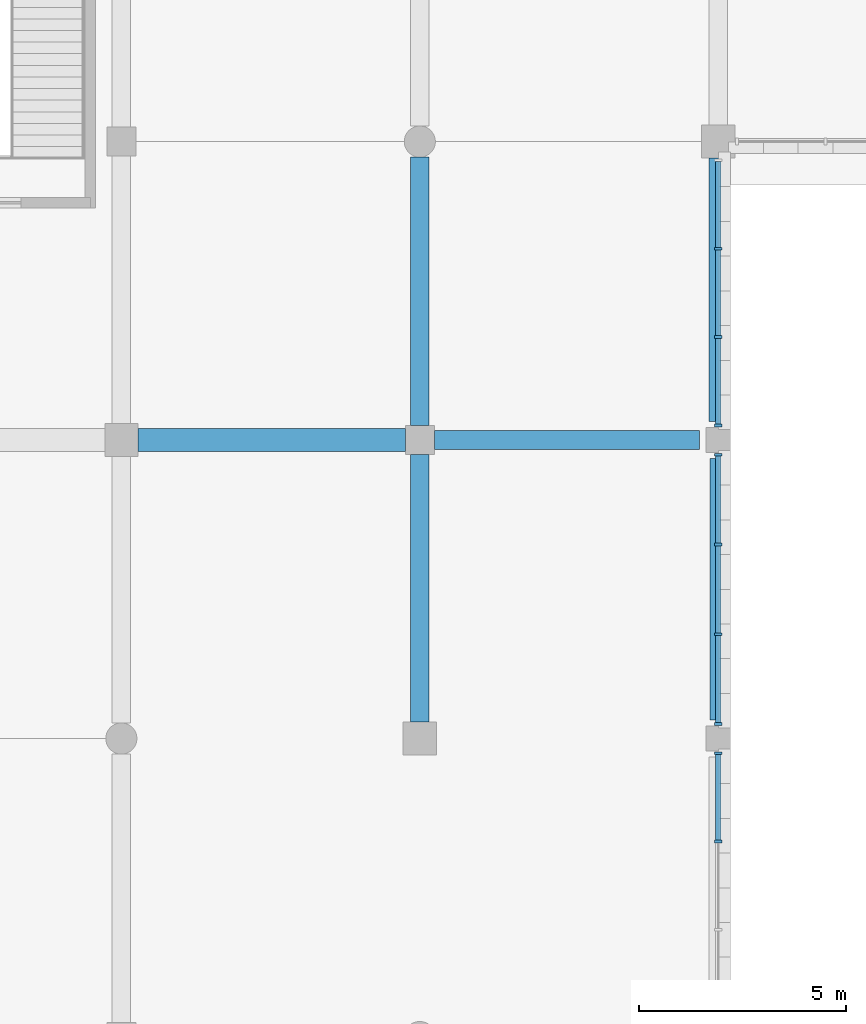
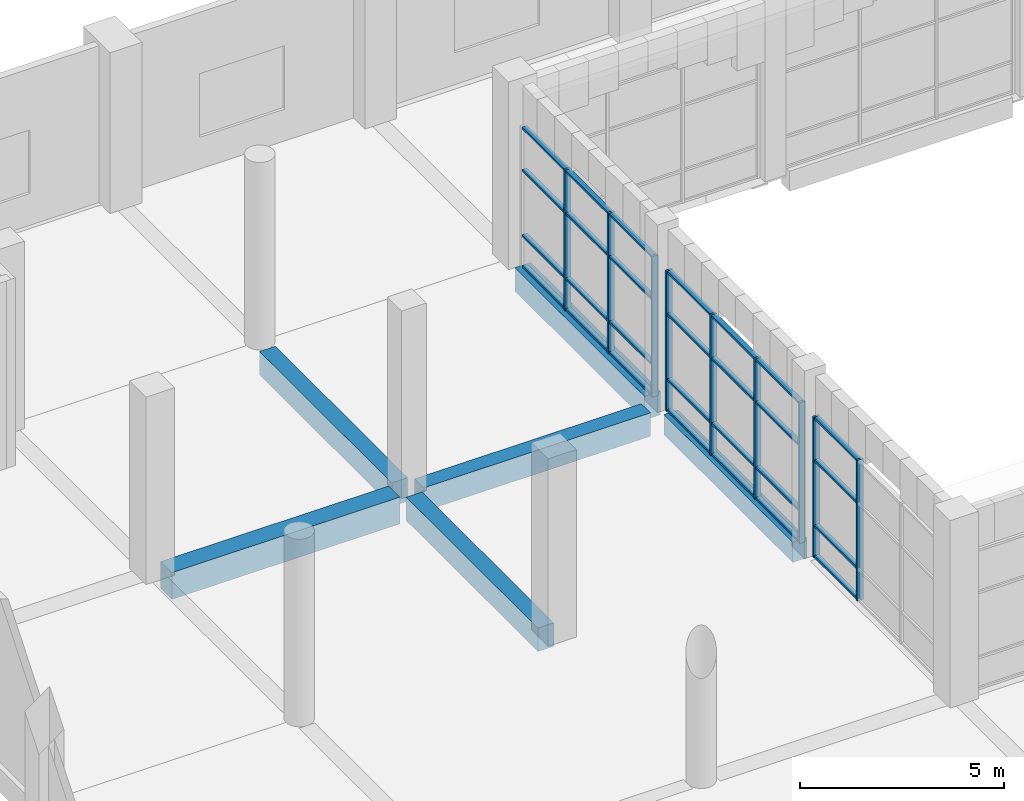
# One storey, part 14 of 80: 37 members, 6 beams, 3 elements without a shape of their own.
"""IFC4 building model written with IfcOpenShell, lengths in metres."""

from ifc_helpers import new_model, si_unit, direction, frame, origin, origin_2d, place, context, subcontext, project, spatial, rectangle, extrude, material, material_profile, profile_set, type_object, element, aggregate, save


model = new_model("IFC4")

# Units and contexts
model_context = context("Model", 3, precision=1e-05, world=origin(), true_north=direction((0.0, 1.0)))
body_context = subcontext(model_context, "Body", "Model", "MODEL_VIEW")
ifc_project = project(units=[si_unit("LENGTHUNIT", "METRE"), si_unit("AREAUNIT", "SQUARE_METRE"), si_unit("VOLUMEUNIT", "CUBIC_METRE"), si_unit("PLANEANGLEUNIT", "RADIAN"), si_unit("MASSUNIT", "GRAM", prefix="KILO")], contexts=[model_context])

# Site, building, storey
site_placement = place(None, origin())
site = spatial("IfcSite", under=ifc_project, at=site_placement, CompositionType="ELEMENT")
building_placement = place(site_placement, origin())
building = spatial("IfcBuilding", under=site, at=building_placement, Name="Sardonyx Promenade Sports Hall", CompositionType="ELEMENT")
storey_placement = place(building_placement, frame((0.0, 0.0, 5.60009765625)))
storey = spatial("IfcBuildingStorey", under=building, at=storey_placement, Name="L01", CompositionType="ELEMENT", Elevation=5.60009765625)

# Beams
ifc_material_1 = material(Name="Concrete C40/50", Category="concrete")
ifc_material_profile_1 = material_profile(ifc_material_1, rectangle(XDim=0.550048828125, YDim=0.800048828125, at=origin_2d()))
ifc_profile_set_1 = profile_set([ifc_material_profile_1], Name="Concrete C40/50")
beam_type_1 = type_object("IfcBeamType", Name="Bm_Girder_RC800", PredefinedType="BEAM", material=ifc_profile_set_1)
beam_1_placement = place(storey_placement, frame((29.199951171875, 57.60009765625, -0.400146484375), z_axis=(1.0, 0.0, 0.0), x_axis=(0.0, 1.0, 0.0)))
element("IfcBeam", 1, at=beam_1_placement, inside=storey, type_object=beam_type_1, Name="Beam BG04 L01 #252", PredefinedType="BEAM", context=body_context, shape_type="SweptSolid", body=[
    extrude(rectangle(XDim=0.550048828125, YDim=0.800048828125, at=origin_2d()), origin(), (0.0, 0.0, 1.0), 6.449951171875),
])
ifc_material_2 = material(Name="Concrete C40/50", Category="concrete")
ifc_material_profile_2 = material_profile(ifc_material_2, rectangle(XDim=0.449951171875, YDim=0.699951171875, at=origin_2d()))
ifc_profile_set_2 = profile_set([ifc_material_profile_2], Name="Concrete C40/50")
beam_type_2 = type_object("IfcBeamType", Name="Bm_Primary_RC700", PredefinedType="BEAM", material=ifc_profile_set_2)
beam_2_placement = place(storey_placement, frame((36.35009765625, 57.60009765625, -0.35009765625), z_axis=(1.0, 0.0, 0.0), x_axis=(0.0, 1.0, 0.0)))
element("IfcBeam", 2, at=beam_2_placement, inside=storey, type_object=beam_type_2, Name="Beam BG01 L01 #253", PredefinedType="BEAM", context=body_context, shape_type="SweptSolid", body=[
    extrude(rectangle(XDim=0.449951171875, YDim=0.699951171875, at=origin_2d()), origin(), (0.0, 0.0, 1.0), 6.39990234375),
])
beam_3_placement = place(storey_placement, frame((36.0, 50.800048828125, -0.35009765625), z_axis=(0.0, 1.0, 0.0), x_axis=(-1.0, 0.0, 0.0)))
element("IfcBeam", 3, at=beam_3_placement, inside=storey, type_object=beam_type_2, Name="Beam BG01 L01 #317", PredefinedType="BEAM", context=body_context, shape_type="SweptSolid", body=[
    extrude(rectangle(XDim=0.449951171875, YDim=0.699951171875, at=origin_2d()), origin(), (0.0, 0.0, 1.0), 6.449951171875),
])
beam_4_placement = place(storey_placement, frame((36.0, 57.949951171875, -0.35009765625), z_axis=(0.0, 1.0, 0.0), x_axis=(-1.0, 0.0, 0.0)))
element("IfcBeam", 4, at=beam_4_placement, inside=storey, type_object=beam_type_2, Name="Beam BG01 L01 #318", PredefinedType="BEAM", context=body_context, shape_type="SweptSolid", body=[
    extrude(rectangle(XDim=0.449951171875, YDim=0.699951171875, at=origin_2d()), origin(), (0.0, 0.0, 1.0), 6.47509765625),
])
beam_5_placement = place(storey_placement, frame((43.199951171875, 58.050048828125, -0.35009765625), z_axis=(0.0, 1.0, 0.0), x_axis=(-1.0, 0.0, 0.0)))
element("IfcBeam", 5, at=beam_5_placement, inside=storey, type_object=beam_type_2, Name="Beam BG01 L01 #328", PredefinedType="BEAM", context=body_context, shape_type="SweptSolid", body=[
    extrude(rectangle(XDim=0.449951171875, YDim=0.699951171875, at=origin_2d()), origin(), (0.0, 0.0, 1.0), 6.349853515625),
])
ifc_material_3 = material(Name="Concrete C40/50", Category="concrete")
ifc_material_profile_3 = material_profile(ifc_material_3, rectangle(XDim=0.39990234375, YDim=0.60009765625, at=origin_2d()))
ifc_profile_set_3 = profile_set([ifc_material_profile_3], Name="Concrete C40/50")
beam_type_3 = type_object("IfcBeamType", Name="Bm_Spandrel_RC600", PredefinedType="SPANDREL", material=ifc_profile_set_3)
beam_6_placement = place(storey_placement, frame((43.199951171875, 50.85009765625, -0.300048828125), z_axis=(0.0, 1.0, 0.0), x_axis=(-1.0, 0.0, 0.0)))
element("IfcBeam", 6, at=beam_6_placement, inside=storey, type_object=beam_type_3, Name="Beam SPB1 L01 #327", PredefinedType="SPANDREL", context=body_context, shape_type="SweptSolid", body=[
    extrude(rectangle(XDim=0.39990234375, YDim=0.60009765625, at=origin_2d()), origin(), (0.0, 0.0, 1.0), 6.2998046875),
])

# Curtain wall, members
ifc_material_4 = material(Name="Aluminium 6063-T6", Category="aluminium")
curtain_wall_type = type_object("IfcCurtainWallType", Name="CW_Riwaq_L01_640", PredefinedType="USERDEFINED", material=ifc_material_4)
curtain_wall_1_placement = place(storey_placement, origin())
curtain_wall_1 = element("IfcCurtainWall", 7, at=curtain_wall_1_placement, inside=storey, type_object=curtain_wall_type, Name="Curtain wall CW18 cw:L01:140", ObjectType="CURTAIN WALL", PredefinedType="USERDEFINED")
ifc_material_5 = material(Name="Aluminium 6063-T6", Category="aluminium")
ifc_material_profile_4 = material_profile(ifc_material_5, rectangle(XDim=0.06494140625, YDim=0.175048828125, at=origin_2d()))
ifc_profile_set_4 = profile_set([ifc_material_profile_4], Name="Aluminium 6063-T6")
member_type_1 = type_object("IfcMemberType", Name="CW_Mull_175", PredefinedType="MULLION", material=ifc_profile_set_4)
member_1_placement = place(storey_placement, frame((43.199951171875, 50.047607421875, 0.0), z_axis=(0.0, 0.0, 1.0), x_axis=(0.0, -1.0, 0.0)))
member_1 = element("IfcMember", 8, at=member_1_placement, type_object=member_type_1, Name="Mullion CM02 cw:L01:140 #1", PredefinedType="MULLION", context=body_context, shape_type="SweptSolid", body=[
    extrude(rectangle(XDim=0.06494140625, YDim=0.175048828125, at=origin_2d()), origin(), (0.0, 0.0, 1.0), 4.199951171875),
])
member_2_placement = place(storey_placement, frame((43.199951171875, 47.915771484375, 0.0), z_axis=(0.0, 0.0, 1.0), x_axis=(0.0, -1.0, 0.0)))
member_2 = element("IfcMember", 9, at=member_2_placement, type_object=member_type_1, Name="Mullion CM02 cw:L01:140 #2", PredefinedType="MULLION", context=body_context, shape_type="SweptSolid", body=[
    extrude(rectangle(XDim=0.06494140625, YDim=0.175048828125, at=origin_2d()), origin(), (0.0, 0.0, 1.0), 4.199951171875),
])

curtain_wall_2_placement = place(storey_placement, origin())
curtain_wall_2 = element("IfcCurtainWall", 10, at=curtain_wall_2_placement, inside=storey, type_object=curtain_wall_type, Name="Curtain wall CW18 cw:L01:142", ObjectType="CURTAIN WALL", PredefinedType="USERDEFINED")
member_3_placement = place(storey_placement, frame((43.199951171875, 57.24755859375, 0.0), z_axis=(0.0, 0.0, 1.0), x_axis=(0.0, -1.0, 0.0)))
member_3 = element("IfcMember", 11, at=member_3_placement, type_object=member_type_1, Name="Mullion CM02 cw:L01:142 #1", PredefinedType="MULLION", context=body_context, shape_type="SweptSolid", body=[
    extrude(rectangle(XDim=0.06494140625, YDim=0.175048828125, at=origin_2d()), origin(), (0.0, 0.0, 1.0), 4.199951171875),
])
member_4_placement = place(storey_placement, frame((43.199951171875, 55.08251953125, 0.0), z_axis=(0.0, 0.0, 1.0), x_axis=(0.0, -1.0, 0.0)))
member_4 = element("IfcMember", 12, at=member_4_placement, type_object=member_type_1, Name="Mullion CM02 cw:L01:142 #2", PredefinedType="MULLION", context=body_context, shape_type="SweptSolid", body=[
    extrude(rectangle(XDim=0.06494140625, YDim=0.175048828125, at=origin_2d()), origin(), (0.0, 0.0, 1.0), 4.199951171875),
])
member_5_placement = place(storey_placement, frame((43.199951171875, 52.91748046875, 0.0), z_axis=(0.0, 0.0, 1.0), x_axis=(0.0, -1.0, 0.0)))
member_5 = element("IfcMember", 13, at=member_5_placement, type_object=member_type_1, Name="Mullion CM02 cw:L01:142 #3", PredefinedType="MULLION", context=body_context, shape_type="SweptSolid", body=[
    extrude(rectangle(XDim=0.06494140625, YDim=0.175048828125, at=origin_2d()), origin(), (0.0, 0.0, 1.0), 4.199951171875),
])
member_6_placement = place(storey_placement, frame((43.199951171875, 50.75244140625, 0.0), z_axis=(0.0, 0.0, 1.0), x_axis=(0.0, -1.0, 0.0)))
member_6 = element("IfcMember", 14, at=member_6_placement, type_object=member_type_1, Name="Mullion CM02 cw:L01:142 #4", PredefinedType="MULLION", context=body_context, shape_type="SweptSolid", body=[
    extrude(rectangle(XDim=0.06494140625, YDim=0.175048828125, at=origin_2d()), origin(), (0.0, 0.0, 1.0), 4.199951171875),
])

curtain_wall_3_placement = place(storey_placement, origin())
curtain_wall_3 = element("IfcCurtainWall", 15, at=curtain_wall_3_placement, inside=storey, type_object=curtain_wall_type, Name="Curtain wall CW18 cw:L01:144", ObjectType="CURTAIN WALL", PredefinedType="USERDEFINED")
member_7_placement = place(storey_placement, frame((43.199951171875, 62.2158203125, 0.0), z_axis=(0.0, 0.0, 1.0), x_axis=(0.0, -1.0, 0.0)))
member_7 = element("IfcMember", 16, at=member_7_placement, type_object=member_type_1, Name="Mullion CM02 cw:L01:144 #2", PredefinedType="MULLION", context=body_context, shape_type="SweptSolid", body=[
    extrude(rectangle(XDim=0.06494140625, YDim=0.175048828125, at=origin_2d()), origin(), (0.0, 0.0, 1.0), 4.199951171875),
])
member_8_placement = place(storey_placement, frame((43.199951171875, 60.084228515625, 0.0), z_axis=(0.0, 0.0, 1.0), x_axis=(0.0, -1.0, 0.0)))
member_8 = element("IfcMember", 17, at=member_8_placement, type_object=member_type_1, Name="Mullion CM02 cw:L01:144 #3", PredefinedType="MULLION", context=body_context, shape_type="SweptSolid", body=[
    extrude(rectangle(XDim=0.06494140625, YDim=0.175048828125, at=origin_2d()), origin(), (0.0, 0.0, 1.0), 4.199951171875),
])
member_9_placement = place(storey_placement, frame((43.199951171875, 57.952392578125, 0.0), z_axis=(0.0, 0.0, 1.0), x_axis=(0.0, -1.0, 0.0)))
member_9 = element("IfcMember", 18, at=member_9_placement, type_object=member_type_1, Name="Mullion CM02 cw:L01:144 #4", PredefinedType="MULLION", context=body_context, shape_type="SweptSolid", body=[
    extrude(rectangle(XDim=0.06494140625, YDim=0.175048828125, at=origin_2d()), origin(), (0.0, 0.0, 1.0), 4.199951171875),
])

# Member
ifc_material_6 = material(Name="Aluminium 6063-T6", Category="aluminium")
ifc_material_profile_5 = material_profile(ifc_material_6, rectangle(XDim=0.06494140625, YDim=0.139892578125, at=origin_2d()))
ifc_profile_set_5 = profile_set([ifc_material_profile_5], Name="Aluminium 6063-T6")
member_type_2 = type_object("IfcMemberType", Name="CW_Tran_140", PredefinedType="USERDEFINED", material=ifc_profile_set_5)
member_10_placement = place(storey_placement, frame((43.199951171875, 50.014892578125, 0.032470703125), z_axis=(0.0, -1.0, 0.0), x_axis=(0.0, 0.0, 1.0)))
member_10 = element("IfcMember", 19, at=member_10_placement, type_object=member_type_2, Name="Transom CT02 cw:L01:140 #1", ObjectType="TRANSOM", PredefinedType="USERDEFINED", context=body_context, shape_type="SweptSolid", body=[
    extrude(rectangle(XDim=0.06494140625, YDim=0.139892578125, at=origin_2d()), origin(), (0.0, 0.0, 1.0), 2.066650390625),
])

member_11_placement = place(storey_placement, frame((43.199951171875, 50.014892578125, 0.949951171875), z_axis=(0.0, -1.0, 0.0), x_axis=(0.0, 0.0, 1.0)))
member_11 = element("IfcMember", 20, at=member_11_placement, type_object=member_type_2, Name="Transom CT02 cw:L01:140 #2", ObjectType="TRANSOM", PredefinedType="USERDEFINED", context=body_context, shape_type="SweptSolid", body=[
    extrude(rectangle(XDim=0.06494140625, YDim=0.139892578125, at=origin_2d()), origin(), (0.0, 0.0, 1.0), 2.066650390625),
])

member_12_placement = place(storey_placement, frame((43.199951171875, 50.014892578125, 2.89990234375), z_axis=(0.0, -1.0, 0.0), x_axis=(0.0, 0.0, 1.0)))
member_12 = element("IfcMember", 21, at=member_12_placement, type_object=member_type_2, Name="Transom CT02 cw:L01:140 #3", ObjectType="TRANSOM", PredefinedType="USERDEFINED", context=body_context, shape_type="SweptSolid", body=[
    extrude(rectangle(XDim=0.06494140625, YDim=0.139892578125, at=origin_2d()), origin(), (0.0, 0.0, 1.0), 2.066650390625),
])

member_13_placement = place(storey_placement, frame((43.199951171875, 50.014892578125, 4.16748046875), z_axis=(0.0, -1.0, 0.0), x_axis=(0.0, 0.0, 1.0)))
member_13 = element("IfcMember", 22, at=member_13_placement, type_object=member_type_2, Name="Transom CT02 cw:L01:140 #4", ObjectType="TRANSOM", PredefinedType="USERDEFINED", context=body_context, shape_type="SweptSolid", body=[
    extrude(rectangle(XDim=0.06494140625, YDim=0.139892578125, at=origin_2d()), origin(), (0.0, 0.0, 1.0), 2.066650390625),
])

aggregate(curtain_wall_1, [member_1, member_2, member_10, member_11, member_12, member_13])

member_14_placement = place(storey_placement, frame((43.199951171875, 57.215087890625, 0.032470703125), z_axis=(0.0, -1.0, 0.0), x_axis=(0.0, 0.0, 1.0)))
member_14 = element("IfcMember", 23, at=member_14_placement, type_object=member_type_2, Name="Transom CT02 cw:L01:142 #1", ObjectType="TRANSOM", PredefinedType="USERDEFINED", context=body_context, shape_type="SweptSolid", body=[
    extrude(rectangle(XDim=0.06494140625, YDim=0.139892578125, at=origin_2d()), origin(), (0.0, 0.0, 1.0), 2.10009765625),
])

member_15_placement = place(storey_placement, frame((43.199951171875, 57.215087890625, 0.949951171875), z_axis=(0.0, -1.0, 0.0), x_axis=(0.0, 0.0, 1.0)))
member_15 = element("IfcMember", 24, at=member_15_placement, type_object=member_type_2, Name="Transom CT02 cw:L01:142 #2", ObjectType="TRANSOM", PredefinedType="USERDEFINED", context=body_context, shape_type="SweptSolid", body=[
    extrude(rectangle(XDim=0.06494140625, YDim=0.139892578125, at=origin_2d()), origin(), (0.0, 0.0, 1.0), 2.10009765625),
])

member_16_placement = place(storey_placement, frame((43.199951171875, 57.215087890625, 2.89990234375), z_axis=(0.0, -1.0, 0.0), x_axis=(0.0, 0.0, 1.0)))
member_16 = element("IfcMember", 25, at=member_16_placement, type_object=member_type_2, Name="Transom CT02 cw:L01:142 #3", ObjectType="TRANSOM", PredefinedType="USERDEFINED", context=body_context, shape_type="SweptSolid", body=[
    extrude(rectangle(XDim=0.06494140625, YDim=0.139892578125, at=origin_2d()), origin(), (0.0, 0.0, 1.0), 2.10009765625),
])

member_17_placement = place(storey_placement, frame((43.199951171875, 57.215087890625, 4.16748046875), z_axis=(0.0, -1.0, 0.0), x_axis=(0.0, 0.0, 1.0)))
member_17 = element("IfcMember", 26, at=member_17_placement, type_object=member_type_2, Name="Transom CT02 cw:L01:142 #4", ObjectType="TRANSOM", PredefinedType="USERDEFINED", context=body_context, shape_type="SweptSolid", body=[
    extrude(rectangle(XDim=0.06494140625, YDim=0.139892578125, at=origin_2d()), origin(), (0.0, 0.0, 1.0), 2.10009765625),
])

member_18_placement = place(storey_placement, frame((43.199951171875, 55.050048828125, 0.032470703125), z_axis=(0.0, -1.0, 0.0), x_axis=(0.0, 0.0, 1.0)))
member_18 = element("IfcMember", 27, at=member_18_placement, type_object=member_type_2, Name="Transom CT02 cw:L01:142 #5", ObjectType="TRANSOM", PredefinedType="USERDEFINED", context=body_context, shape_type="SweptSolid", body=[
    extrude(rectangle(XDim=0.06494140625, YDim=0.139892578125, at=origin_2d()), origin(), (0.0, 0.0, 1.0), 2.10009765625),
])

member_19_placement = place(storey_placement, frame((43.199951171875, 55.050048828125, 0.949951171875), z_axis=(0.0, -1.0, 0.0), x_axis=(0.0, 0.0, 1.0)))
member_19 = element("IfcMember", 28, at=member_19_placement, type_object=member_type_2, Name="Transom CT02 cw:L01:142 #6", ObjectType="TRANSOM", PredefinedType="USERDEFINED", context=body_context, shape_type="SweptSolid", body=[
    extrude(rectangle(XDim=0.06494140625, YDim=0.139892578125, at=origin_2d()), origin(), (0.0, 0.0, 1.0), 2.10009765625),
])

member_20_placement = place(storey_placement, frame((43.199951171875, 55.050048828125, 2.89990234375), z_axis=(0.0, -1.0, 0.0), x_axis=(0.0, 0.0, 1.0)))
member_20 = element("IfcMember", 29, at=member_20_placement, type_object=member_type_2, Name="Transom CT02 cw:L01:142 #7", ObjectType="TRANSOM", PredefinedType="USERDEFINED", context=body_context, shape_type="SweptSolid", body=[
    extrude(rectangle(XDim=0.06494140625, YDim=0.139892578125, at=origin_2d()), origin(), (0.0, 0.0, 1.0), 2.10009765625),
])

member_21_placement = place(storey_placement, frame((43.199951171875, 55.050048828125, 4.16748046875), z_axis=(0.0, -1.0, 0.0), x_axis=(0.0, 0.0, 1.0)))
member_21 = element("IfcMember", 30, at=member_21_placement, type_object=member_type_2, Name="Transom CT02 cw:L01:142 #8", ObjectType="TRANSOM", PredefinedType="USERDEFINED", context=body_context, shape_type="SweptSolid", body=[
    extrude(rectangle(XDim=0.06494140625, YDim=0.139892578125, at=origin_2d()), origin(), (0.0, 0.0, 1.0), 2.10009765625),
])

member_22_placement = place(storey_placement, frame((43.199951171875, 52.885009765625, 0.032470703125), z_axis=(0.0, -1.0, 0.0), x_axis=(0.0, 0.0, 1.0)))
member_22 = element("IfcMember", 31, at=member_22_placement, type_object=member_type_2, Name="Transom CT02 cw:L01:142 #9", ObjectType="TRANSOM", PredefinedType="USERDEFINED", context=body_context, shape_type="SweptSolid", body=[
    extrude(rectangle(XDim=0.06494140625, YDim=0.139892578125, at=origin_2d()), origin(), (0.0, 0.0, 1.0), 2.10009765625),
])

member_23_placement = place(storey_placement, frame((43.199951171875, 52.885009765625, 0.949951171875), z_axis=(0.0, -1.0, 0.0), x_axis=(0.0, 0.0, 1.0)))
member_23 = element("IfcMember", 32, at=member_23_placement, type_object=member_type_2, Name="Transom CT02 cw:L01:142 #10", ObjectType="TRANSOM", PredefinedType="USERDEFINED", context=body_context, shape_type="SweptSolid", body=[
    extrude(rectangle(XDim=0.06494140625, YDim=0.139892578125, at=origin_2d()), origin(), (0.0, 0.0, 1.0), 2.10009765625),
])

member_24_placement = place(storey_placement, frame((43.199951171875, 52.885009765625, 2.89990234375), z_axis=(0.0, -1.0, 0.0), x_axis=(0.0, 0.0, 1.0)))
member_24 = element("IfcMember", 33, at=member_24_placement, type_object=member_type_2, Name="Transom CT02 cw:L01:142 #11", ObjectType="TRANSOM", PredefinedType="USERDEFINED", context=body_context, shape_type="SweptSolid", body=[
    extrude(rectangle(XDim=0.06494140625, YDim=0.139892578125, at=origin_2d()), origin(), (0.0, 0.0, 1.0), 2.10009765625),
])

member_25_placement = place(storey_placement, frame((43.199951171875, 52.885009765625, 4.16748046875), z_axis=(0.0, -1.0, 0.0), x_axis=(0.0, 0.0, 1.0)))
member_25 = element("IfcMember", 34, at=member_25_placement, type_object=member_type_2, Name="Transom CT02 cw:L01:142 #12", ObjectType="TRANSOM", PredefinedType="USERDEFINED", context=body_context, shape_type="SweptSolid", body=[
    extrude(rectangle(XDim=0.06494140625, YDim=0.139892578125, at=origin_2d()), origin(), (0.0, 0.0, 1.0), 2.10009765625),
])

aggregate(curtain_wall_2, [member_3, member_4, member_5, member_6, member_14, member_15, member_16, member_17, member_18, member_19, member_20, member_21, member_22, member_23, member_24, member_25])

member_26_placement = place(storey_placement, frame((43.199951171875, 64.31494140625, 0.032470703125), z_axis=(0.0, -1.0, 0.0), x_axis=(0.0, 0.0, 1.0)))
member_26 = element("IfcMember", 35, at=member_26_placement, type_object=member_type_2, Name="Transom CT02 cw:L01:144 #1", ObjectType="TRANSOM", PredefinedType="USERDEFINED", context=body_context, shape_type="SweptSolid", body=[
    extrude(rectangle(XDim=0.06494140625, YDim=0.139892578125, at=origin_2d()), origin(), (0.0, 0.0, 1.0), 2.066650390625),
])

member_27_placement = place(storey_placement, frame((43.199951171875, 64.31494140625, 0.949951171875), z_axis=(0.0, -1.0, 0.0), x_axis=(0.0, 0.0, 1.0)))
member_27 = element("IfcMember", 36, at=member_27_placement, type_object=member_type_2, Name="Transom CT02 cw:L01:144 #2", ObjectType="TRANSOM", PredefinedType="USERDEFINED", context=body_context, shape_type="SweptSolid", body=[
    extrude(rectangle(XDim=0.06494140625, YDim=0.139892578125, at=origin_2d()), origin(), (0.0, 0.0, 1.0), 2.066650390625),
])

member_28_placement = place(storey_placement, frame((43.199951171875, 64.31494140625, 2.89990234375), z_axis=(0.0, -1.0, 0.0), x_axis=(0.0, 0.0, 1.0)))
member_28 = element("IfcMember", 37, at=member_28_placement, type_object=member_type_2, Name="Transom CT02 cw:L01:144 #3", ObjectType="TRANSOM", PredefinedType="USERDEFINED", context=body_context, shape_type="SweptSolid", body=[
    extrude(rectangle(XDim=0.06494140625, YDim=0.139892578125, at=origin_2d()), origin(), (0.0, 0.0, 1.0), 2.066650390625),
])

member_29_placement = place(storey_placement, frame((43.199951171875, 64.31494140625, 4.16748046875), z_axis=(0.0, -1.0, 0.0), x_axis=(0.0, 0.0, 1.0)))
member_29 = element("IfcMember", 38, at=member_29_placement, type_object=member_type_2, Name="Transom CT02 cw:L01:144 #4", ObjectType="TRANSOM", PredefinedType="USERDEFINED", context=body_context, shape_type="SweptSolid", body=[
    extrude(rectangle(XDim=0.06494140625, YDim=0.139892578125, at=origin_2d()), origin(), (0.0, 0.0, 1.0), 2.066650390625),
])

member_30_placement = place(storey_placement, frame((43.199951171875, 62.183349609375, 0.032470703125), z_axis=(0.0, -1.0, 0.0), x_axis=(0.0, 0.0, 1.0)))
member_30 = element("IfcMember", 39, at=member_30_placement, type_object=member_type_2, Name="Transom CT02 cw:L01:144 #5", ObjectType="TRANSOM", PredefinedType="USERDEFINED", context=body_context, shape_type="SweptSolid", body=[
    extrude(rectangle(XDim=0.06494140625, YDim=0.139892578125, at=origin_2d()), origin(), (0.0, 0.0, 1.0), 2.066650390625),
])

member_31_placement = place(storey_placement, frame((43.199951171875, 62.183349609375, 0.949951171875), z_axis=(0.0, -1.0, 0.0), x_axis=(0.0, 0.0, 1.0)))
member_31 = element("IfcMember", 40, at=member_31_placement, type_object=member_type_2, Name="Transom CT02 cw:L01:144 #6", ObjectType="TRANSOM", PredefinedType="USERDEFINED", context=body_context, shape_type="SweptSolid", body=[
    extrude(rectangle(XDim=0.06494140625, YDim=0.139892578125, at=origin_2d()), origin(), (0.0, 0.0, 1.0), 2.066650390625),
])

member_32_placement = place(storey_placement, frame((43.199951171875, 62.183349609375, 2.89990234375), z_axis=(0.0, -1.0, 0.0), x_axis=(0.0, 0.0, 1.0)))
member_32 = element("IfcMember", 41, at=member_32_placement, type_object=member_type_2, Name="Transom CT02 cw:L01:144 #7", ObjectType="TRANSOM", PredefinedType="USERDEFINED", context=body_context, shape_type="SweptSolid", body=[
    extrude(rectangle(XDim=0.06494140625, YDim=0.139892578125, at=origin_2d()), origin(), (0.0, 0.0, 1.0), 2.066650390625),
])

member_33_placement = place(storey_placement, frame((43.199951171875, 62.183349609375, 4.16748046875), z_axis=(0.0, -1.0, 0.0), x_axis=(0.0, 0.0, 1.0)))
member_33 = element("IfcMember", 42, at=member_33_placement, type_object=member_type_2, Name="Transom CT02 cw:L01:144 #8", ObjectType="TRANSOM", PredefinedType="USERDEFINED", context=body_context, shape_type="SweptSolid", body=[
    extrude(rectangle(XDim=0.06494140625, YDim=0.139892578125, at=origin_2d()), origin(), (0.0, 0.0, 1.0), 2.066650390625),
])

member_34_placement = place(storey_placement, frame((43.199951171875, 60.0517578125, 0.032470703125), z_axis=(0.0, -1.0, 0.0), x_axis=(0.0, 0.0, 1.0)))
member_34 = element("IfcMember", 43, at=member_34_placement, type_object=member_type_2, Name="Transom CT02 cw:L01:144 #9", ObjectType="TRANSOM", PredefinedType="USERDEFINED", context=body_context, shape_type="SweptSolid", body=[
    extrude(rectangle(XDim=0.06494140625, YDim=0.139892578125, at=origin_2d()), origin(), (0.0, 0.0, 1.0), 2.066650390625),
])

member_35_placement = place(storey_placement, frame((43.199951171875, 60.0517578125, 0.949951171875), z_axis=(0.0, -1.0, 0.0), x_axis=(0.0, 0.0, 1.0)))
member_35 = element("IfcMember", 44, at=member_35_placement, type_object=member_type_2, Name="Transom CT02 cw:L01:144 #10", ObjectType="TRANSOM", PredefinedType="USERDEFINED", context=body_context, shape_type="SweptSolid", body=[
    extrude(rectangle(XDim=0.06494140625, YDim=0.139892578125, at=origin_2d()), origin(), (0.0, 0.0, 1.0), 2.066650390625),
])

member_36_placement = place(storey_placement, frame((43.199951171875, 60.0517578125, 2.89990234375), z_axis=(0.0, -1.0, 0.0), x_axis=(0.0, 0.0, 1.0)))
member_36 = element("IfcMember", 45, at=member_36_placement, type_object=member_type_2, Name="Transom CT02 cw:L01:144 #11", ObjectType="TRANSOM", PredefinedType="USERDEFINED", context=body_context, shape_type="SweptSolid", body=[
    extrude(rectangle(XDim=0.06494140625, YDim=0.139892578125, at=origin_2d()), origin(), (0.0, 0.0, 1.0), 2.066650390625),
])

member_37_placement = place(storey_placement, frame((43.199951171875, 60.0517578125, 4.16748046875), z_axis=(0.0, -1.0, 0.0), x_axis=(0.0, 0.0, 1.0)))
member_37 = element("IfcMember", 46, at=member_37_placement, type_object=member_type_2, Name="Transom CT02 cw:L01:144 #12", ObjectType="TRANSOM", PredefinedType="USERDEFINED", context=body_context, shape_type="SweptSolid", body=[
    extrude(rectangle(XDim=0.06494140625, YDim=0.139892578125, at=origin_2d()), origin(), (0.0, 0.0, 1.0), 2.066650390625),
])

aggregate(curtain_wall_3, [member_7, member_8, member_9, member_26, member_27, member_28, member_29, member_30, member_31, member_32, member_33, member_34, member_35, member_36, member_37])

save(model, "model.ifc")
